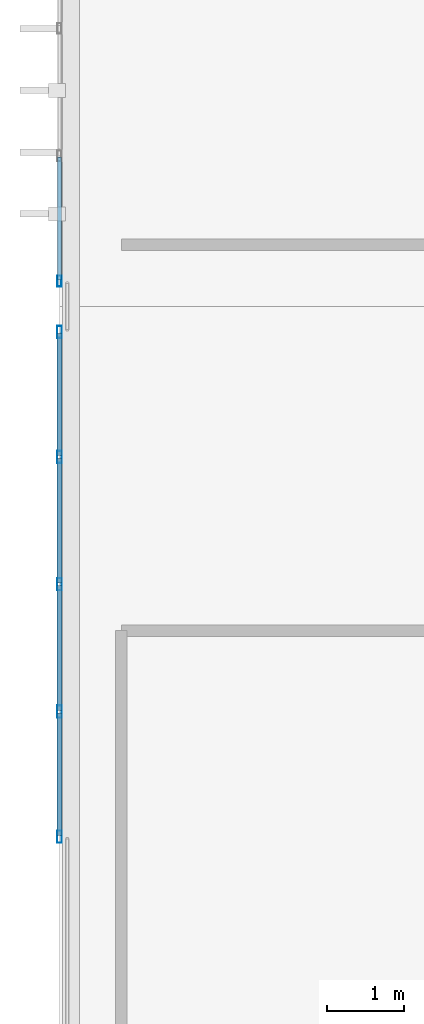
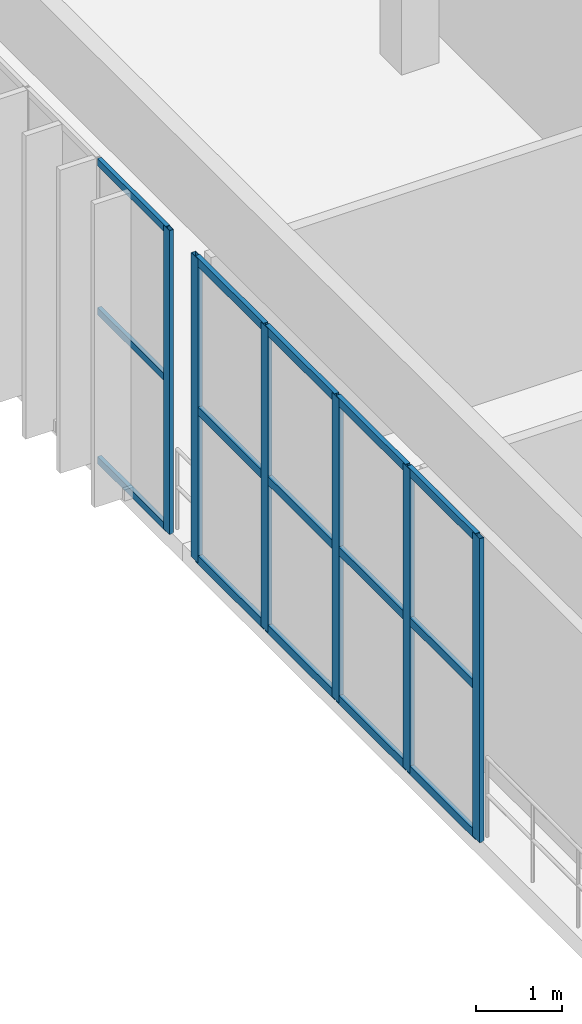
# One storey, part 2 of 64: 21 members, 2 elements without a shape of their own.
"""IFC4 building model written with IfcOpenShell, lengths in metres."""

from ifc_helpers import new_model, si_unit, direction, frame, origin, origin_2d, place, context, subcontext, project, spatial, hollow_rectangle, extrude, material, material_profile, profile_set, type_object, element, aggregate, save


model = new_model("IFC4")

# Units and contexts
model_context = context("Model", 3, precision=1e-05, world=origin(), true_north=direction((0.0, 1.0)))
body_context = subcontext(model_context, "Body", "Model", "MODEL_VIEW")
ifc_project = project(units=[si_unit("LENGTHUNIT", "METRE"), si_unit("AREAUNIT", "SQUARE_METRE"), si_unit("VOLUMEUNIT", "CUBIC_METRE"), si_unit("PLANEANGLEUNIT", "RADIAN"), si_unit("MASSUNIT", "GRAM", prefix="KILO")], contexts=[model_context])

# Site, building, storey
site_placement = place(None, origin())
site = spatial("IfcSite", under=ifc_project, at=site_placement, CompositionType="ELEMENT")
building_placement = place(site_placement, origin())
building = spatial("IfcBuilding", under=site, at=building_placement, Name="Qandorah Velis Arena", CompositionType="ELEMENT")
storey_placement = place(building_placement, frame((0.0, 0.0, 23.0)))
storey = spatial("IfcBuildingStorey", under=building, at=storey_placement, Name="L05", CompositionType="ELEMENT", Elevation=23.0)

# Curtain wall, member
ifc_material_1 = material(Name="Solar-control low-E double glazing", Category="glass")
curtain_wall_type_1 = type_object("IfcCurtainWallType", Name="ARC-CW-SYS16", PredefinedType="USERDEFINED", material=ifc_material_1)
curtain_wall_1_placement = place(storey_placement, origin())
curtain_wall_1 = element("IfcCurtainWall", 1, at=curtain_wall_1_placement, inside=storey, type_object=curtain_wall_type_1, Name="Unitised curtain wall L05-040", ObjectType="UNITISED CURTAIN WALL", PredefinedType="USERDEFINED")
ifc_material_2 = material(Name="Champagne-bronze anodized aluminium 6063-T6", Category="aluminium")
ifc_material_profile_1 = material_profile(ifc_material_2, hollow_rectangle(XDim=0.054931640625, YDim=0.139892578125, WallThickness=0.0029296875, at=origin_2d()), Name="ALU MULLION 55x140")
ifc_profile_set_1 = profile_set([ifc_material_profile_1], Name="Champagne-bronze anodized aluminium 6063-T6")
member_type_1 = type_object("IfcMemberType", Name="ARC-CWM-140", PredefinedType="MULLION", material=ifc_profile_set_1)
member_1_placement = place(storey_placement, frame((0.0, 14.7275390625, -0.014892578125), z_axis=(0.0, 0.0, 1.0), x_axis=(-1.0, 0.0, 0.0)))
member_1 = element("IfcMember", 2, at=member_1_placement, type_object=member_type_1, Name="CW16 mullion 1", PredefinedType="MULLION", context=body_context, shape_type="SweptSolid", body=[
    extrude(hollow_rectangle(XDim=0.054931640625, YDim=0.139892578125, WallThickness=0.0029296875, at=origin_2d()), origin(), (0.0, 0.0, 1.0), 4.309814453125),
])

# Curtain wall, members
curtain_wall_type_2 = type_object("IfcCurtainWallType", Name="ARC-CW-SYS15", PredefinedType="USERDEFINED", material=ifc_material_1)
curtain_wall_2_placement = place(storey_placement, origin())
curtain_wall_2 = element("IfcCurtainWall", 3, at=curtain_wall_2_placement, inside=storey, type_object=curtain_wall_type_2, Name="Unitised curtain wall L05-039", ObjectType="UNITISED CURTAIN WALL", PredefinedType="USERDEFINED")
ifc_material_profile_2 = material_profile(ifc_material_2, hollow_rectangle(XDim=0.06005859375, YDim=0.159912109375, WallThickness=0.00341796875, at=origin_2d()), Name="ALU MULLION 60x160")
ifc_profile_set_2 = profile_set([ifc_material_profile_2], Name="Champagne-bronze anodized aluminium 6063-T6")
member_type_2 = type_object("IfcMemberType", Name="ARC-CWM-160", PredefinedType="MULLION", material=ifc_profile_set_2)
member_2_placement = place(storey_placement, frame((0.0, 7.530029296875, -0.014892578125), z_axis=(0.0, 0.0, 1.0), x_axis=(-1.0, 0.0, 0.0)))
member_2 = element("IfcMember", 4, at=member_2_placement, type_object=member_type_2, Name="CW15 mullion 1", PredefinedType="MULLION", context=body_context, shape_type="SweptSolid", body=[
    extrude(hollow_rectangle(XDim=0.06005859375, YDim=0.159912109375, WallThickness=0.00341796875, at=origin_2d()), origin(), (0.0, 0.0, 1.0), 4.309814453125),
])
member_3_placement = place(storey_placement, frame((0.0, 9.14990234375, -0.014892578125), z_axis=(0.0, 0.0, 1.0), x_axis=(-1.0, 0.0, 0.0)))
member_3 = element("IfcMember", 5, at=member_3_placement, type_object=member_type_2, Name="CW15 mullion 2", PredefinedType="MULLION", context=body_context, shape_type="SweptSolid", body=[
    extrude(hollow_rectangle(XDim=0.06005859375, YDim=0.159912109375, WallThickness=0.00341796875, at=origin_2d()), origin(), (0.0, 0.0, 1.0), 4.309814453125),
])
member_4_placement = place(storey_placement, frame((0.0, 10.800048828125, -0.014892578125), z_axis=(0.0, 0.0, 1.0), x_axis=(-1.0, 0.0, 0.0)))
member_4 = element("IfcMember", 6, at=member_4_placement, type_object=member_type_2, Name="CW15 mullion 3", PredefinedType="MULLION", context=body_context, shape_type="SweptSolid", body=[
    extrude(hollow_rectangle(XDim=0.06005859375, YDim=0.159912109375, WallThickness=0.00341796875, at=origin_2d()), origin(), (0.0, 0.0, 1.0), 4.309814453125),
])
member_5_placement = place(storey_placement, frame((0.0, 12.449951171875, -0.014892578125), z_axis=(0.0, 0.0, 1.0), x_axis=(-1.0, 0.0, 0.0)))
member_5 = element("IfcMember", 7, at=member_5_placement, type_object=member_type_2, Name="CW15 mullion 4", PredefinedType="MULLION", context=body_context, shape_type="SweptSolid", body=[
    extrude(hollow_rectangle(XDim=0.06005859375, YDim=0.159912109375, WallThickness=0.00341796875, at=origin_2d()), origin(), (0.0, 0.0, 1.0), 4.309814453125),
])
member_6_placement = place(storey_placement, frame((0.0, 14.070068359375, -0.014892578125), z_axis=(0.0, 0.0, 1.0), x_axis=(-1.0, 0.0, 0.0)))
member_6 = element("IfcMember", 8, at=member_6_placement, type_object=member_type_2, Name="CW15 mullion 5", PredefinedType="MULLION", context=body_context, shape_type="SweptSolid", body=[
    extrude(hollow_rectangle(XDim=0.06005859375, YDim=0.159912109375, WallThickness=0.00341796875, at=origin_2d()), origin(), (0.0, 0.0, 1.0), 4.309814453125),
])

# Member
ifc_material_profile_3 = material_profile(ifc_material_2, hollow_rectangle(XDim=0.054931640625, YDim=0.10009765625, WallThickness=0.0029296875, at=origin_2d()), Name="ALU TRANSOM 55x100")
ifc_profile_set_3 = profile_set([ifc_material_profile_3], Name="Champagne-bronze anodized aluminium 6063-T6")
member_type_3 = type_object("IfcMemberType", Name="ARC-CWT-100", PredefinedType="USERDEFINED", material=ifc_profile_set_3)
member_7_placement = place(storey_placement, frame((0.0, 14.742919921875, 0.027587890625), z_axis=(0.0, 1.0, 0.0), x_axis=(-1.0, 0.0, 0.0)))
member_7 = element("IfcMember", 9, at=member_7_placement, type_object=member_type_3, Name="CW16 transom 1.1", ObjectType="TRANSOM", PredefinedType="USERDEFINED", context=body_context, shape_type="SweptSolid", body=[
    extrude(hollow_rectangle(XDim=0.054931640625, YDim=0.10009765625, WallThickness=0.0029296875, at=origin_2d()), origin(), (0.0, 0.0, 1.0), 1.591552734375),
])

member_8_placement = place(storey_placement, frame((0.0, 14.742919921875, 2.139892578125), z_axis=(0.0, 1.0, 0.0), x_axis=(-1.0, 0.0, 0.0)))
member_8 = element("IfcMember", 10, at=member_8_placement, type_object=member_type_3, Name="CW16 transom 1.2", ObjectType="TRANSOM", PredefinedType="USERDEFINED", context=body_context, shape_type="SweptSolid", body=[
    extrude(hollow_rectangle(XDim=0.054931640625, YDim=0.10009765625, WallThickness=0.0029296875, at=origin_2d()), origin(), (0.0, 0.0, 1.0), 1.591552734375),
])

member_9_placement = place(storey_placement, frame((0.0, 14.742919921875, 4.25244140625), z_axis=(0.0, 1.0, 0.0), x_axis=(-1.0, 0.0, 0.0)))
member_9 = element("IfcMember", 11, at=member_9_placement, type_object=member_type_3, Name="CW16 transom 1.3", ObjectType="TRANSOM", PredefinedType="USERDEFINED", context=body_context, shape_type="SweptSolid", body=[
    extrude(hollow_rectangle(XDim=0.054931640625, YDim=0.10009765625, WallThickness=0.0029296875, at=origin_2d()), origin(), (0.0, 0.0, 1.0), 1.591552734375),
])

aggregate(curtain_wall_1, [member_1, member_7, member_8, member_9])

ifc_material_profile_4 = material_profile(ifc_material_2, hollow_rectangle(XDim=0.06005859375, YDim=0.1201171875, WallThickness=0.0029296875, at=origin_2d()), Name="ALU TRANSOM 60x120")
ifc_profile_set_4 = profile_set([ifc_material_profile_4], Name="Champagne-bronze anodized aluminium 6063-T6")
member_type_4 = type_object("IfcMemberType", Name="ARC-CWT-120", PredefinedType="USERDEFINED", material=ifc_profile_set_4)
member_10_placement = place(storey_placement, frame((0.0, 7.548095703125, 0.030029296875), z_axis=(0.0, 1.0, 0.0), x_axis=(-1.0, 0.0, 0.0)))
member_10 = element("IfcMember", 12, at=member_10_placement, type_object=member_type_4, Name="CW15 transom 1.1", ObjectType="TRANSOM", PredefinedType="USERDEFINED", context=body_context, shape_type="SweptSolid", body=[
    extrude(hollow_rectangle(XDim=0.06005859375, YDim=0.1201171875, WallThickness=0.0029296875, at=origin_2d()), origin(), (0.0, 0.0, 1.0), 1.583984375),
])

member_11_placement = place(storey_placement, frame((0.0, 7.548095703125, 2.139892578125), z_axis=(0.0, 1.0, 0.0), x_axis=(-1.0, 0.0, 0.0)))
member_11 = element("IfcMember", 13, at=member_11_placement, type_object=member_type_4, Name="CW15 transom 1.2", ObjectType="TRANSOM", PredefinedType="USERDEFINED", context=body_context, shape_type="SweptSolid", body=[
    extrude(hollow_rectangle(XDim=0.06005859375, YDim=0.1201171875, WallThickness=0.0029296875, at=origin_2d()), origin(), (0.0, 0.0, 1.0), 1.583984375),
])

member_12_placement = place(storey_placement, frame((0.0, 7.548095703125, 4.25), z_axis=(0.0, 1.0, 0.0), x_axis=(-1.0, 0.0, 0.0)))
member_12 = element("IfcMember", 14, at=member_12_placement, type_object=member_type_4, Name="CW15 transom 1.3", ObjectType="TRANSOM", PredefinedType="USERDEFINED", context=body_context, shape_type="SweptSolid", body=[
    extrude(hollow_rectangle(XDim=0.06005859375, YDim=0.1201171875, WallThickness=0.0029296875, at=origin_2d()), origin(), (0.0, 0.0, 1.0), 1.583984375),
])

member_13_placement = place(storey_placement, frame((0.0, 9.16796875, 0.030029296875), z_axis=(0.0, 1.0, 0.0), x_axis=(-1.0, 0.0, 0.0)))
member_13 = element("IfcMember", 15, at=member_13_placement, type_object=member_type_4, Name="CW15 transom 2.1", ObjectType="TRANSOM", PredefinedType="USERDEFINED", context=body_context, shape_type="SweptSolid", body=[
    extrude(hollow_rectangle(XDim=0.06005859375, YDim=0.1201171875, WallThickness=0.0029296875, at=origin_2d()), origin(), (0.0, 0.0, 1.0), 1.614013671875),
])

member_14_placement = place(storey_placement, frame((0.0, 9.16796875, 2.139892578125), z_axis=(0.0, 1.0, 0.0), x_axis=(-1.0, 0.0, 0.0)))
member_14 = element("IfcMember", 16, at=member_14_placement, type_object=member_type_4, Name="CW15 transom 2.2", ObjectType="TRANSOM", PredefinedType="USERDEFINED", context=body_context, shape_type="SweptSolid", body=[
    extrude(hollow_rectangle(XDim=0.06005859375, YDim=0.1201171875, WallThickness=0.0029296875, at=origin_2d()), origin(), (0.0, 0.0, 1.0), 1.614013671875),
])

member_15_placement = place(storey_placement, frame((0.0, 9.16796875, 4.25), z_axis=(0.0, 1.0, 0.0), x_axis=(-1.0, 0.0, 0.0)))
member_15 = element("IfcMember", 17, at=member_15_placement, type_object=member_type_4, Name="CW15 transom 2.3", ObjectType="TRANSOM", PredefinedType="USERDEFINED", context=body_context, shape_type="SweptSolid", body=[
    extrude(hollow_rectangle(XDim=0.06005859375, YDim=0.1201171875, WallThickness=0.0029296875, at=origin_2d()), origin(), (0.0, 0.0, 1.0), 1.614013671875),
])

member_16_placement = place(storey_placement, frame((0.0, 10.818115234375, 0.030029296875), z_axis=(0.0, 1.0, 0.0), x_axis=(-1.0, 0.0, 0.0)))
member_16 = element("IfcMember", 18, at=member_16_placement, type_object=member_type_4, Name="CW15 transom 3.1", ObjectType="TRANSOM", PredefinedType="USERDEFINED", context=body_context, shape_type="SweptSolid", body=[
    extrude(hollow_rectangle(XDim=0.06005859375, YDim=0.1201171875, WallThickness=0.0029296875, at=origin_2d()), origin(), (0.0, 0.0, 1.0), 1.61376953125),
])

member_17_placement = place(storey_placement, frame((0.0, 10.818115234375, 2.139892578125), z_axis=(0.0, 1.0, 0.0), x_axis=(-1.0, 0.0, 0.0)))
member_17 = element("IfcMember", 19, at=member_17_placement, type_object=member_type_4, Name="CW15 transom 3.2", ObjectType="TRANSOM", PredefinedType="USERDEFINED", context=body_context, shape_type="SweptSolid", body=[
    extrude(hollow_rectangle(XDim=0.06005859375, YDim=0.1201171875, WallThickness=0.0029296875, at=origin_2d()), origin(), (0.0, 0.0, 1.0), 1.61376953125),
])

member_18_placement = place(storey_placement, frame((0.0, 10.818115234375, 4.25), z_axis=(0.0, 1.0, 0.0), x_axis=(-1.0, 0.0, 0.0)))
member_18 = element("IfcMember", 20, at=member_18_placement, type_object=member_type_4, Name="CW15 transom 3.3", ObjectType="TRANSOM", PredefinedType="USERDEFINED", context=body_context, shape_type="SweptSolid", body=[
    extrude(hollow_rectangle(XDim=0.06005859375, YDim=0.1201171875, WallThickness=0.0029296875, at=origin_2d()), origin(), (0.0, 0.0, 1.0), 1.61376953125),
])

member_19_placement = place(storey_placement, frame((0.0, 12.468017578125, 0.030029296875), z_axis=(0.0, 1.0, 0.0), x_axis=(-1.0, 0.0, 0.0)))
member_19 = element("IfcMember", 21, at=member_19_placement, type_object=member_type_4, Name="CW15 transom 4.1", ObjectType="TRANSOM", PredefinedType="USERDEFINED", context=body_context, shape_type="SweptSolid", body=[
    extrude(hollow_rectangle(XDim=0.06005859375, YDim=0.1201171875, WallThickness=0.0029296875, at=origin_2d()), origin(), (0.0, 0.0, 1.0), 1.583984375),
])

member_20_placement = place(storey_placement, frame((0.0, 12.468017578125, 2.139892578125), z_axis=(0.0, 1.0, 0.0), x_axis=(-1.0, 0.0, 0.0)))
member_20 = element("IfcMember", 22, at=member_20_placement, type_object=member_type_4, Name="CW15 transom 4.2", ObjectType="TRANSOM", PredefinedType="USERDEFINED", context=body_context, shape_type="SweptSolid", body=[
    extrude(hollow_rectangle(XDim=0.06005859375, YDim=0.1201171875, WallThickness=0.0029296875, at=origin_2d()), origin(), (0.0, 0.0, 1.0), 1.583984375),
])

member_21_placement = place(storey_placement, frame((0.0, 12.468017578125, 4.25), z_axis=(0.0, 1.0, 0.0), x_axis=(-1.0, 0.0, 0.0)))
member_21 = element("IfcMember", 23, at=member_21_placement, type_object=member_type_4, Name="CW15 transom 4.3", ObjectType="TRANSOM", PredefinedType="USERDEFINED", context=body_context, shape_type="SweptSolid", body=[
    extrude(hollow_rectangle(XDim=0.06005859375, YDim=0.1201171875, WallThickness=0.0029296875, at=origin_2d()), origin(), (0.0, 0.0, 1.0), 1.583984375),
])

aggregate(curtain_wall_2, [member_2, member_3, member_4, member_5, member_6, member_10, member_11, member_12, member_13, member_14, member_15, member_16, member_17, member_18, member_19, member_20, member_21])

save(model, "model.ifc")
